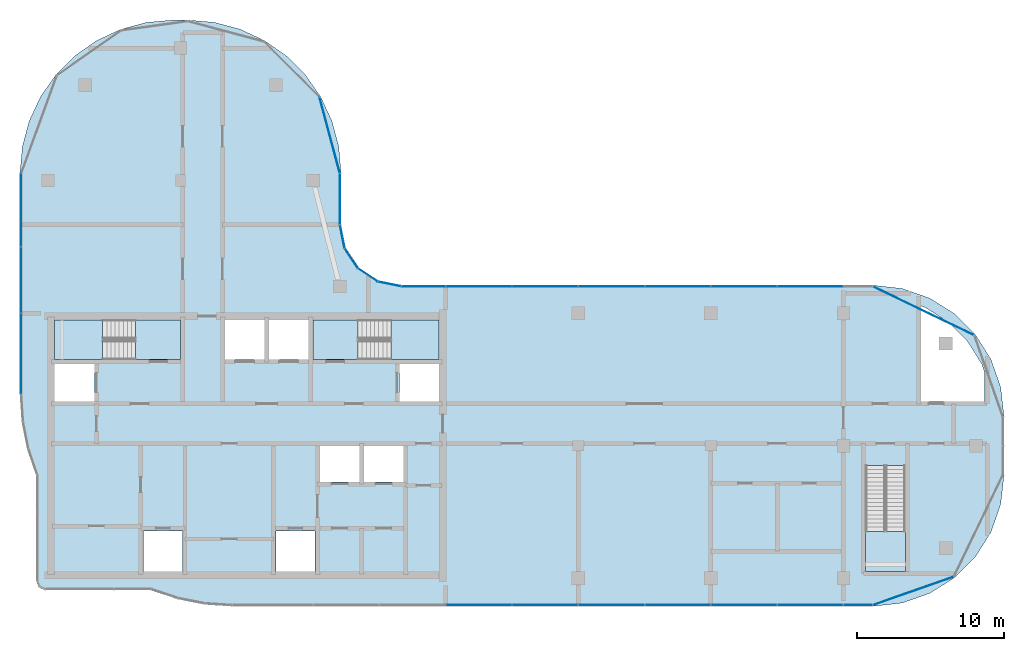
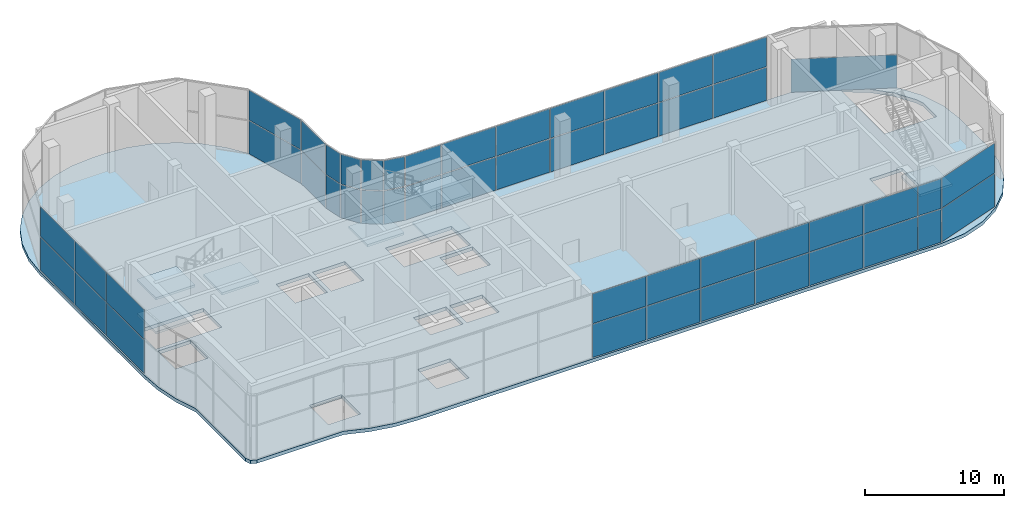
# One storey, part 13 of 19: 49 plates, 8 slabs, 11 elements without a shape of their own.
"""IFC4 building model written with IfcOpenShell, lengths in metres."""

from ifc_helpers import new_model, si_unit, direction, frame, origin, origin_2d, place, context, subcontext, project, spatial, polyline, rectangle, outline, extrude, material, layer, layer_set, type_object, element, aggregate, save


model = new_model("IFC4")

# Units and contexts
model_context = context("Model", 3, precision=1e-05, world=origin(), true_north=direction((0.0, 1.0)))
body_context = subcontext(model_context, "Body", "Model", "MODEL_VIEW")
ifc_project = project(units=[si_unit("LENGTHUNIT", "METRE"), si_unit("AREAUNIT", "SQUARE_METRE"), si_unit("VOLUMEUNIT", "CUBIC_METRE"), si_unit("PLANEANGLEUNIT", "RADIAN"), si_unit("MASSUNIT", "GRAM", prefix="KILO")], contexts=[model_context])

# Site, building, storey
site_placement = place(None, origin())
site = spatial("IfcSite", under=ifc_project, at=site_placement, CompositionType="ELEMENT")
building_placement = place(site_placement, origin())
building = spatial("IfcBuilding", under=site, at=building_placement, Name="Ogive Portal Towers", CompositionType="ELEMENT")
storey_placement = place(building_placement, frame((0.0, 0.0, 254.89990234375)))
storey = spatial("IfcBuildingStorey", under=building, at=storey_placement, Name="L63", CompositionType="ELEMENT", Elevation=254.89990234375)

# Curtain wall, plates
ifc_material_1 = material(Name="Glass, clear low-iron insulated glazing", Category="glass")
curtain_wall_type = type_object("IfcCurtainWallType", Name="CW OBSERVATION WALL", PredefinedType="NOTDEFINED", material=ifc_material_1)
curtain_wall_1_placement = place(storey_placement, origin())
curtain_wall_1 = element("IfcCurtainWall", 1, at=curtain_wall_1_placement, inside=storey, type_object=curtain_wall_type, Name="A:L63:f07:cw0", PredefinedType="NOTDEFINED")
ifc_layer_1 = layer(ifc_material_1, 0.028076171875)
ifc_layer_set_1 = layer_set([ifc_layer_1], Name="CW PANEL IGU 28")
plate_type = type_object("IfcPlateType", Name="CW PANEL IGU 28", PredefinedType="CURTAIN_PANEL", material=ifc_layer_set_1)
plate_1_placement = place(storey_placement, frame((60.75, 19.679931640625, 0.06005859375), z_axis=(0.0, 0.0, 1.0), x_axis=(1.0, 0.0, 0.0)))
plate_1 = element("IfcPlate", 2, at=plate_1_placement, type_object=plate_type, Name="panel", PredefinedType="CURTAIN_PANEL", context=body_context, shape_type="SweptSolid", body=[
    extrude(rectangle(XDim=4.43994140625, YDim=0.028076171875, at=origin_2d()), origin(), (0.0, 0.0, 1.0), 2.909912109375),
])
plate_2_placement = place(storey_placement, frame((60.75, 19.679931640625, 3.0302734375), z_axis=(0.0, 0.0, 1.0), x_axis=(1.0, 0.0, 0.0)))
plate_2 = element("IfcPlate", 3, at=plate_2_placement, type_object=plate_type, Name="panel", PredefinedType="CURTAIN_PANEL", context=body_context, shape_type="SweptSolid", body=[
    extrude(rectangle(XDim=4.43994140625, YDim=0.028076171875, at=origin_2d()), origin(), (0.0, 0.0, 1.0), 2.610107421875),
])
plate_3_placement = place(storey_placement, frame((65.25, 19.679931640625, 0.06005859375), z_axis=(0.0, 0.0, 1.0), x_axis=(1.0, 0.0, 0.0)))
plate_3 = element("IfcPlate", 4, at=plate_3_placement, type_object=plate_type, Name="panel", PredefinedType="CURTAIN_PANEL", context=body_context, shape_type="SweptSolid", body=[
    extrude(rectangle(XDim=4.43994140625, YDim=0.028076171875, at=origin_2d()), origin(), (0.0, 0.0, 1.0), 2.909912109375),
])
plate_4_placement = place(storey_placement, frame((65.25, 19.679931640625, 3.0302734375), z_axis=(0.0, 0.0, 1.0), x_axis=(1.0, 0.0, 0.0)))
plate_4 = element("IfcPlate", 5, at=plate_4_placement, type_object=plate_type, Name="panel", PredefinedType="CURTAIN_PANEL", context=body_context, shape_type="SweptSolid", body=[
    extrude(rectangle(XDim=4.43994140625, YDim=0.028076171875, at=origin_2d()), origin(), (0.0, 0.0, 1.0), 2.610107421875),
])
plate_5_placement = place(storey_placement, frame((69.75, 19.679931640625, 0.06005859375), z_axis=(0.0, 0.0, 1.0), x_axis=(1.0, 0.0, 0.0)))
plate_5 = element("IfcPlate", 6, at=plate_5_placement, type_object=plate_type, Name="panel", PredefinedType="CURTAIN_PANEL", context=body_context, shape_type="SweptSolid", body=[
    extrude(rectangle(XDim=4.43994140625, YDim=0.028076171875, at=origin_2d()), origin(), (0.0, 0.0, 1.0), 2.909912109375),
])
plate_6_placement = place(storey_placement, frame((69.75, 19.679931640625, 3.0302734375), z_axis=(0.0, 0.0, 1.0), x_axis=(1.0, 0.0, 0.0)))
plate_6 = element("IfcPlate", 7, at=plate_6_placement, type_object=plate_type, Name="panel", PredefinedType="CURTAIN_PANEL", context=body_context, shape_type="SweptSolid", body=[
    extrude(rectangle(XDim=4.43994140625, YDim=0.028076171875, at=origin_2d()), origin(), (0.0, 0.0, 1.0), 2.610107421875),
])
plate_7_placement = place(storey_placement, frame((74.25, 19.679931640625, 0.06005859375), z_axis=(0.0, 0.0, 1.0), x_axis=(1.0, 0.0, 0.0)))
plate_7 = element("IfcPlate", 8, at=plate_7_placement, type_object=plate_type, Name="panel", PredefinedType="CURTAIN_PANEL", context=body_context, shape_type="SweptSolid", body=[
    extrude(rectangle(XDim=4.43994140625, YDim=0.028076171875, at=origin_2d()), origin(), (0.0, 0.0, 1.0), 2.909912109375),
])
plate_8_placement = place(storey_placement, frame((74.25, 19.679931640625, 3.0302734375), z_axis=(0.0, 0.0, 1.0), x_axis=(1.0, 0.0, 0.0)))
plate_8 = element("IfcPlate", 9, at=plate_8_placement, type_object=plate_type, Name="panel", PredefinedType="CURTAIN_PANEL", context=body_context, shape_type="SweptSolid", body=[
    extrude(rectangle(XDim=4.43994140625, YDim=0.028076171875, at=origin_2d()), origin(), (0.0, 0.0, 1.0), 2.610107421875),
])
plate_9_placement = place(storey_placement, frame((78.75, 19.679931640625, 0.06005859375), z_axis=(0.0, 0.0, 1.0), x_axis=(1.0, 0.0, 0.0)))
plate_9 = element("IfcPlate", 10, at=plate_9_placement, type_object=plate_type, Name="panel", PredefinedType="CURTAIN_PANEL", context=body_context, shape_type="SweptSolid", body=[
    extrude(rectangle(XDim=4.43994140625, YDim=0.028076171875, at=origin_2d()), origin(), (0.0, 0.0, 1.0), 2.909912109375),
])
plate_10_placement = place(storey_placement, frame((78.75, 19.679931640625, 3.0302734375), z_axis=(0.0, 0.0, 1.0), x_axis=(1.0, 0.0, 0.0)))
plate_10 = element("IfcPlate", 11, at=plate_10_placement, type_object=plate_type, Name="panel", PredefinedType="CURTAIN_PANEL", context=body_context, shape_type="SweptSolid", body=[
    extrude(rectangle(XDim=4.43994140625, YDim=0.028076171875, at=origin_2d()), origin(), (0.0, 0.0, 1.0), 2.610107421875),
])
plate_11_placement = place(storey_placement, frame((83.25, 19.679931640625, 0.06005859375), z_axis=(0.0, 0.0, 1.0), x_axis=(1.0, 0.0, 0.0)))
plate_11 = element("IfcPlate", 12, at=plate_11_placement, type_object=plate_type, Name="panel", PredefinedType="CURTAIN_PANEL", context=body_context, shape_type="SweptSolid", body=[
    extrude(rectangle(XDim=4.43994140625, YDim=0.028076171875, at=origin_2d()), origin(), (0.0, 0.0, 1.0), 2.909912109375),
])
plate_12_placement = place(storey_placement, frame((83.25, 19.679931640625, 3.0302734375), z_axis=(0.0, 0.0, 1.0), x_axis=(1.0, 0.0, 0.0)))
plate_12 = element("IfcPlate", 13, at=plate_12_placement, type_object=plate_type, Name="panel", PredefinedType="CURTAIN_PANEL", context=body_context, shape_type="SweptSolid", body=[
    extrude(rectangle(XDim=4.43994140625, YDim=0.028076171875, at=origin_2d()), origin(), (0.0, 0.0, 1.0), 2.610107421875),
])
plate_13_placement = place(storey_placement, frame((86.4931640625, 19.679931640625, 0.06005859375), z_axis=(0.0, 0.0, 1.0), x_axis=(1.0, 0.0, 0.0)))
plate_13 = element("IfcPlate", 14, at=plate_13_placement, type_object=plate_type, Name="panel", PredefinedType="CURTAIN_PANEL", context=body_context, shape_type="SweptSolid", body=[
    extrude(rectangle(XDim=1.926513671875, YDim=0.028076171875, at=origin_2d()), origin(), (0.0, 0.0, 1.0), 2.909912109375),
])
plate_14_placement = place(storey_placement, frame((86.4931640625, 19.679931640625, 3.0302734375), z_axis=(0.0, 0.0, 1.0), x_axis=(1.0, 0.0, 0.0)))
plate_14 = element("IfcPlate", 15, at=plate_14_placement, type_object=plate_type, Name="panel", PredefinedType="CURTAIN_PANEL", context=body_context, shape_type="SweptSolid", body=[
    extrude(rectangle(XDim=1.926513671875, YDim=0.028076171875, at=origin_2d()), origin(), (0.0, 0.0, 1.0), 2.610107421875),
])
aggregate(curtain_wall_1, [plate_1, plate_2, plate_3, plate_4, plate_5, plate_6, plate_7, plate_8, plate_9, plate_10, plate_11, plate_12, plate_13, plate_14])

curtain_wall_2_placement = place(storey_placement, origin())
curtain_wall_2 = element("IfcCurtainWall", 16, at=curtain_wall_2_placement, inside=storey, type_object=curtain_wall_type, Name="A:L63:f13:cw0", PredefinedType="NOTDEFINED")
plate_15_placement = place(storey_placement, frame((83.25, 41.320068359375, 0.06005859375), z_axis=(0.0, 0.0, 1.0), x_axis=(-1.0, 0.0, 0.0)))
plate_15 = element("IfcPlate", 17, at=plate_15_placement, type_object=plate_type, Name="panel", PredefinedType="CURTAIN_PANEL", context=body_context, shape_type="SweptSolid", body=[
    extrude(rectangle(XDim=4.43994140625, YDim=0.028076171875, at=origin_2d()), origin(), (0.0, 0.0, 1.0), 2.909912109375),
])
plate_16_placement = place(storey_placement, frame((83.25, 41.320068359375, 3.0302734375), z_axis=(0.0, 0.0, 1.0), x_axis=(-1.0, 0.0, 0.0)))
plate_16 = element("IfcPlate", 18, at=plate_16_placement, type_object=plate_type, Name="panel", PredefinedType="CURTAIN_PANEL", context=body_context, shape_type="SweptSolid", body=[
    extrude(rectangle(XDim=4.43994140625, YDim=0.028076171875, at=origin_2d()), origin(), (0.0, 0.0, 1.0), 2.610107421875),
])
plate_17_placement = place(storey_placement, frame((78.75, 41.320068359375, 0.06005859375), z_axis=(0.0, 0.0, 1.0), x_axis=(-1.0, 0.0, 0.0)))
plate_17 = element("IfcPlate", 19, at=plate_17_placement, type_object=plate_type, Name="panel", PredefinedType="CURTAIN_PANEL", context=body_context, shape_type="SweptSolid", body=[
    extrude(rectangle(XDim=4.43994140625, YDim=0.028076171875, at=origin_2d()), origin(), (0.0, 0.0, 1.0), 2.909912109375),
])
plate_18_placement = place(storey_placement, frame((78.75, 41.320068359375, 3.0302734375), z_axis=(0.0, 0.0, 1.0), x_axis=(-1.0, 0.0, 0.0)))
plate_18 = element("IfcPlate", 20, at=plate_18_placement, type_object=plate_type, Name="panel", PredefinedType="CURTAIN_PANEL", context=body_context, shape_type="SweptSolid", body=[
    extrude(rectangle(XDim=4.43994140625, YDim=0.028076171875, at=origin_2d()), origin(), (0.0, 0.0, 1.0), 2.610107421875),
])
plate_19_placement = place(storey_placement, frame((74.25, 41.320068359375, 0.06005859375), z_axis=(0.0, 0.0, 1.0), x_axis=(-1.0, 0.0, 0.0)))
plate_19 = element("IfcPlate", 21, at=plate_19_placement, type_object=plate_type, Name="panel", PredefinedType="CURTAIN_PANEL", context=body_context, shape_type="SweptSolid", body=[
    extrude(rectangle(XDim=4.43994140625, YDim=0.028076171875, at=origin_2d()), origin(), (0.0, 0.0, 1.0), 2.909912109375),
])
plate_20_placement = place(storey_placement, frame((74.25, 41.320068359375, 3.0302734375), z_axis=(0.0, 0.0, 1.0), x_axis=(-1.0, 0.0, 0.0)))
plate_20 = element("IfcPlate", 22, at=plate_20_placement, type_object=plate_type, Name="panel", PredefinedType="CURTAIN_PANEL", context=body_context, shape_type="SweptSolid", body=[
    extrude(rectangle(XDim=4.43994140625, YDim=0.028076171875, at=origin_2d()), origin(), (0.0, 0.0, 1.0), 2.610107421875),
])
plate_21_placement = place(storey_placement, frame((69.75, 41.320068359375, 0.06005859375), z_axis=(0.0, 0.0, 1.0), x_axis=(-1.0, 0.0, 0.0)))
plate_21 = element("IfcPlate", 23, at=plate_21_placement, type_object=plate_type, Name="panel", PredefinedType="CURTAIN_PANEL", context=body_context, shape_type="SweptSolid", body=[
    extrude(rectangle(XDim=4.43994140625, YDim=0.028076171875, at=origin_2d()), origin(), (0.0, 0.0, 1.0), 2.909912109375),
])
plate_22_placement = place(storey_placement, frame((69.75, 41.320068359375, 3.0302734375), z_axis=(0.0, 0.0, 1.0), x_axis=(-1.0, 0.0, 0.0)))
plate_22 = element("IfcPlate", 24, at=plate_22_placement, type_object=plate_type, Name="panel", PredefinedType="CURTAIN_PANEL", context=body_context, shape_type="SweptSolid", body=[
    extrude(rectangle(XDim=4.43994140625, YDim=0.028076171875, at=origin_2d()), origin(), (0.0, 0.0, 1.0), 2.610107421875),
])
plate_23_placement = place(storey_placement, frame((65.25, 41.320068359375, 0.06005859375), z_axis=(0.0, 0.0, 1.0), x_axis=(-1.0, 0.0, 0.0)))
plate_23 = element("IfcPlate", 25, at=plate_23_placement, type_object=plate_type, Name="panel", PredefinedType="CURTAIN_PANEL", context=body_context, shape_type="SweptSolid", body=[
    extrude(rectangle(XDim=4.43994140625, YDim=0.028076171875, at=origin_2d()), origin(), (0.0, 0.0, 1.0), 2.909912109375),
])
plate_24_placement = place(storey_placement, frame((65.25, 41.320068359375, 3.0302734375), z_axis=(0.0, 0.0, 1.0), x_axis=(-1.0, 0.0, 0.0)))
plate_24 = element("IfcPlate", 26, at=plate_24_placement, type_object=plate_type, Name="panel", PredefinedType="CURTAIN_PANEL", context=body_context, shape_type="SweptSolid", body=[
    extrude(rectangle(XDim=4.43994140625, YDim=0.028076171875, at=origin_2d()), origin(), (0.0, 0.0, 1.0), 2.610107421875),
])
plate_25_placement = place(storey_placement, frame((60.75, 41.320068359375, 0.06005859375), z_axis=(0.0, 0.0, 1.0), x_axis=(-1.0, 0.0, 0.0)))
plate_25 = element("IfcPlate", 27, at=plate_25_placement, type_object=plate_type, Name="panel", PredefinedType="CURTAIN_PANEL", context=body_context, shape_type="SweptSolid", body=[
    extrude(rectangle(XDim=4.43994140625, YDim=0.028076171875, at=origin_2d()), origin(), (0.0, 0.0, 1.0), 2.909912109375),
])
plate_26_placement = place(storey_placement, frame((60.75, 41.320068359375, 3.0302734375), z_axis=(0.0, 0.0, 1.0), x_axis=(-1.0, 0.0, 0.0)))
plate_26 = element("IfcPlate", 28, at=plate_26_placement, type_object=plate_type, Name="panel", PredefinedType="CURTAIN_PANEL", context=body_context, shape_type="SweptSolid", body=[
    extrude(rectangle(XDim=4.43994140625, YDim=0.028076171875, at=origin_2d()), origin(), (0.0, 0.0, 1.0), 2.610107421875),
])
plate_27_placement = place(storey_placement, frame((56.99609375, 41.320068359375, 0.06005859375), z_axis=(0.0, 0.0, 1.0), x_axis=(-1.0, 0.0, 0.0)))
plate_27 = element("IfcPlate", 29, at=plate_27_placement, type_object=plate_type, Name="panel", PredefinedType="CURTAIN_PANEL", context=body_context, shape_type="SweptSolid", body=[
    extrude(rectangle(XDim=2.947998046875, YDim=0.028076171875, at=origin_2d()), origin(), (0.0, 0.0, 1.0), 2.909912109375),
])
plate_28_placement = place(storey_placement, frame((56.99609375, 41.320068359375, 3.0302734375), z_axis=(0.0, 0.0, 1.0), x_axis=(-1.0, 0.0, 0.0)))
plate_28 = element("IfcPlate", 30, at=plate_28_placement, type_object=plate_type, Name="panel", PredefinedType="CURTAIN_PANEL", context=body_context, shape_type="SweptSolid", body=[
    extrude(rectangle(XDim=2.947998046875, YDim=0.028076171875, at=origin_2d()), origin(), (0.0, 0.0, 1.0), 2.610107421875),
])
aggregate(curtain_wall_2, [plate_15, plate_16, plate_17, plate_18, plate_19, plate_20, plate_21, plate_22, plate_23, plate_24, plate_25, plate_26, plate_27, plate_28])

curtain_wall_3_placement = place(storey_placement, origin())
curtain_wall_3 = element("IfcCurtainWall", 31, at=curtain_wall_3_placement, inside=storey, type_object=curtain_wall_type, Name="A:L63:f18:cw0", PredefinedType="NOTDEFINED")
plate_29_placement = place(storey_placement, frame((51.320068359375, 47.24072265625, 0.06005859375), z_axis=(0.0, 0.0, 1.0), x_axis=(0.0, 1.0, 0.0)))
plate_29 = element("IfcPlate", 32, at=plate_29_placement, type_object=plate_type, Name="panel", PredefinedType="CURTAIN_PANEL", context=body_context, shape_type="SweptSolid", body=[
    extrude(rectangle(XDim=3.437255859375, YDim=0.028076171875, at=origin_2d()), origin(), (0.0, 0.0, 1.0), 2.909912109375),
])
plate_30_placement = place(storey_placement, frame((51.320068359375, 47.24072265625, 3.0302734375), z_axis=(0.0, 0.0, 1.0), x_axis=(0.0, 1.0, 0.0)))
plate_30 = element("IfcPlate", 33, at=plate_30_placement, type_object=plate_type, Name="panel", PredefinedType="CURTAIN_PANEL", context=body_context, shape_type="SweptSolid", body=[
    extrude(rectangle(XDim=3.437255859375, YDim=0.028076171875, at=origin_2d()), origin(), (0.0, 0.0, 1.0), 2.610107421875),
])
aggregate(curtain_wall_3, [plate_29, plate_30])

curtain_wall_4_placement = place(storey_placement, origin())
curtain_wall_4 = element("IfcCurtainWall", 34, at=curtain_wall_4_placement, inside=storey, type_object=curtain_wall_type, Name="A:L63:f25:cw0", PredefinedType="NOTDEFINED")
plate_31_placement = place(storey_placement, frame((29.679931640625, 46.492919921875, 0.06005859375), z_axis=(0.0, 0.0, 1.0), x_axis=(0.0, -1.0, 0.0)))
plate_31 = element("IfcPlate", 35, at=plate_31_placement, type_object=plate_type, Name="panel", PredefinedType="CURTAIN_PANEL", context=body_context, shape_type="SweptSolid", body=[
    extrude(rectangle(XDim=4.92578125, YDim=0.028076171875, at=origin_2d()), origin(), (0.0, 0.0, 1.0), 2.909912109375),
])
plate_32_placement = place(storey_placement, frame((29.679931640625, 46.492919921875, 3.0302734375), z_axis=(0.0, 0.0, 1.0), x_axis=(0.0, -1.0, 0.0)))
plate_32 = element("IfcPlate", 36, at=plate_32_placement, type_object=plate_type, Name="panel", PredefinedType="CURTAIN_PANEL", context=body_context, shape_type="SweptSolid", body=[
    extrude(rectangle(XDim=4.92578125, YDim=0.028076171875, at=origin_2d()), origin(), (0.0, 0.0, 1.0), 2.610107421875),
])
plate_33_placement = place(storey_placement, frame((29.679931640625, 41.75, 0.06005859375), z_axis=(0.0, 0.0, 1.0), x_axis=(0.0, -1.0, 0.0)))
plate_33 = element("IfcPlate", 37, at=plate_33_placement, type_object=plate_type, Name="panel", PredefinedType="CURTAIN_PANEL", context=body_context, shape_type="SweptSolid", body=[
    extrude(rectangle(XDim=4.43994140625, YDim=0.028076171875, at=origin_2d()), origin(), (0.0, 0.0, 1.0), 2.909912109375),
])
plate_34_placement = place(storey_placement, frame((29.679931640625, 41.75, 3.0302734375), z_axis=(0.0, 0.0, 1.0), x_axis=(0.0, -1.0, 0.0)))
plate_34 = element("IfcPlate", 38, at=plate_34_placement, type_object=plate_type, Name="panel", PredefinedType="CURTAIN_PANEL", context=body_context, shape_type="SweptSolid", body=[
    extrude(rectangle(XDim=4.43994140625, YDim=0.028076171875, at=origin_2d()), origin(), (0.0, 0.0, 1.0), 2.610107421875),
])
plate_35_placement = place(storey_placement, frame((29.679931640625, 36.751220703125, 0.06005859375), z_axis=(0.0, 0.0, 1.0), x_axis=(0.0, -1.0, 0.0)))
plate_35 = element("IfcPlate", 39, at=plate_35_placement, type_object=plate_type, Name="panel", PredefinedType="CURTAIN_PANEL", context=body_context, shape_type="SweptSolid", body=[
    extrude(rectangle(XDim=5.4375, YDim=0.028076171875, at=origin_2d()), origin(), (0.0, 0.0, 1.0), 2.909912109375),
])
plate_36_placement = place(storey_placement, frame((29.679931640625, 36.751220703125, 3.0302734375), z_axis=(0.0, 0.0, 1.0), x_axis=(0.0, -1.0, 0.0)))
plate_36 = element("IfcPlate", 40, at=plate_36_placement, type_object=plate_type, Name="panel", PredefinedType="CURTAIN_PANEL", context=body_context, shape_type="SweptSolid", body=[
    extrude(rectangle(XDim=5.4375, YDim=0.028076171875, at=origin_2d()), origin(), (0.0, 0.0, 1.0), 2.610107421875),
])
aggregate(curtain_wall_4, [plate_31, plate_32, plate_33, plate_34, plate_35, plate_36])

curtain_wall_5_placement = place(storey_placement, origin())
curtain_wall_5 = element("IfcCurtainWall", 41, at=curtain_wall_5_placement, inside=storey, type_object=curtain_wall_type, Name="A:L63:f08:cwa", PredefinedType="NOTDEFINED")
plate_37_placement = place(storey_placement, frame((90.23876953125, 20.64306640625, 0.06005859375), z_axis=(0.0, 0.0, 1.0), x_axis=(0.943883330307, 0.33027906196, 0.0)))
plate_37 = element("IfcPlate", 42, at=plate_37_placement, type_object=plate_type, Name="panel", PredefinedType="CURTAIN_PANEL", context=body_context, shape_type="SweptSolid", body=[
    extrude(rectangle(XDim=5.772216796875, YDim=0.028076171875, at=origin_2d()), origin(), (0.0, 0.0, 1.0), 2.909912109375),
])
plate_38_placement = place(storey_placement, frame((90.23876953125, 20.64306640625, 3.0302734375), z_axis=(0.0, 0.0, 1.0), x_axis=(0.943883330307, 0.33027906196, 0.0)))
plate_38 = element("IfcPlate", 43, at=plate_38_placement, type_object=plate_type, Name="panel", PredefinedType="CURTAIN_PANEL", context=body_context, shape_type="SweptSolid", body=[
    extrude(rectangle(XDim=5.772216796875, YDim=0.028076171875, at=origin_2d()), origin(), (0.0, 0.0, 1.0), 2.610107421875),
])
aggregate(curtain_wall_5, [plate_37, plate_38])

# Curtain wall, plate
curtain_wall_6_placement = place(storey_placement, origin())
curtain_wall_6 = element("IfcCurtainWall", 44, at=curtain_wall_6_placement, inside=storey, type_object=curtain_wall_type, Name="A:L63:f11:cwa", PredefinedType="NOTDEFINED")
plate_39_placement = place(storey_placement, frame((90.937744140625, 39.65576171875, 0.06005859375), z_axis=(0.0, 0.0, 1.0), x_axis=(-0.900968867905, 0.433883739113, 0.0)))
plate_39 = element("IfcPlate", 45, at=plate_39_placement, type_object=plate_type, Name="panel", PredefinedType="CURTAIN_PANEL", context=body_context, shape_type="SweptSolid", body=[
    extrude(rectangle(XDim=7.61181640625, YDim=0.028076171875, at=origin_2d()), origin(), (0.0, 0.0, 1.0), 2.909912109375),
])
aggregate(curtain_wall_6, [plate_39])

# Curtain wall, plates
curtain_wall_7_placement = place(storey_placement, origin())
curtain_wall_7 = element("IfcCurtainWall", 46, at=curtain_wall_7_placement, inside=storey, type_object=curtain_wall_type, Name="A:L63:f14:cwa", PredefinedType="NOTDEFINED")
plate_40_placement = place(storey_placement, frame((54.696044921875, 41.478271484375, 0.06005859375), z_axis=(0.0, 0.0, 1.0), x_axis=(-0.980785280403, 0.195090322016, 0.0)))
plate_40 = element("IfcPlate", 47, at=plate_40_placement, type_object=plate_type, Name="panel", PredefinedType="CURTAIN_PANEL", context=body_context, shape_type="SweptSolid", body=[
    extrude(rectangle(XDim=1.5634765625, YDim=0.028076171875, at=origin_2d()), origin(), (0.0, 0.0, 1.0), 2.909912109375),
])
plate_41_placement = place(storey_placement, frame((54.696044921875, 41.478271484375, 3.0302734375), z_axis=(0.0, 0.0, 1.0), x_axis=(-0.980785280403, 0.195090322016, 0.0)))
plate_41 = element("IfcPlate", 48, at=plate_41_placement, type_object=plate_type, Name="panel", PredefinedType="CURTAIN_PANEL", context=body_context, shape_type="SweptSolid", body=[
    extrude(rectangle(XDim=1.5634765625, YDim=0.028076171875, at=origin_2d()), origin(), (0.0, 0.0, 1.0), 2.610107421875),
])
plate_42_placement = place(storey_placement, frame((53.221435546875, 42.08984375, 0.06005859375), z_axis=(0.0, 0.0, 1.0), x_axis=(-0.831469612303, 0.55557023302, 0.0)))
plate_42 = element("IfcPlate", 49, at=plate_42_placement, type_object=plate_type, Name="panel", PredefinedType="CURTAIN_PANEL", context=body_context, shape_type="SweptSolid", body=[
    extrude(rectangle(XDim=1.571533203125, YDim=0.028076171875, at=origin_2d()), origin(), (0.0, 0.0, 1.0), 2.909912109375),
])
plate_43_placement = place(storey_placement, frame((53.221435546875, 42.08984375, 3.0302734375), z_axis=(0.0, 0.0, 1.0), x_axis=(-0.831469612303, 0.55557023302, 0.0)))
plate_43 = element("IfcPlate", 50, at=plate_43_placement, type_object=plate_type, Name="panel", PredefinedType="CURTAIN_PANEL", context=body_context, shape_type="SweptSolid", body=[
    extrude(rectangle(XDim=1.571533203125, YDim=0.028076171875, at=origin_2d()), origin(), (0.0, 0.0, 1.0), 2.610107421875),
])
plate_44_placement = place(storey_placement, frame((52.08984375, 43.221435546875, 0.06005859375), z_axis=(0.0, 0.0, 1.0), x_axis=(-0.55557023302, 0.831469612303, 0.0)))
plate_44 = element("IfcPlate", 51, at=plate_44_placement, type_object=plate_type, Name="panel", PredefinedType="CURTAIN_PANEL", context=body_context, shape_type="SweptSolid", body=[
    extrude(rectangle(XDim=1.571533203125, YDim=0.028076171875, at=origin_2d()), origin(), (0.0, 0.0, 1.0), 2.909912109375),
])
plate_45_placement = place(storey_placement, frame((52.08984375, 43.221435546875, 3.0302734375), z_axis=(0.0, 0.0, 1.0), x_axis=(-0.55557023302, 0.831469612303, 0.0)))
plate_45 = element("IfcPlate", 52, at=plate_45_placement, type_object=plate_type, Name="panel", PredefinedType="CURTAIN_PANEL", context=body_context, shape_type="SweptSolid", body=[
    extrude(rectangle(XDim=1.571533203125, YDim=0.028076171875, at=origin_2d()), origin(), (0.0, 0.0, 1.0), 2.610107421875),
])
plate_46_placement = place(storey_placement, frame((51.478271484375, 44.696044921875, 0.06005859375), z_axis=(0.0, 0.0, 1.0), x_axis=(-0.195090322016, 0.980785280403, 0.0)))
plate_46 = element("IfcPlate", 53, at=plate_46_placement, type_object=plate_type, Name="panel", PredefinedType="CURTAIN_PANEL", context=body_context, shape_type="SweptSolid", body=[
    extrude(rectangle(XDim=1.5634765625, YDim=0.028076171875, at=origin_2d()), origin(), (0.0, 0.0, 1.0), 2.909912109375),
])
plate_47_placement = place(storey_placement, frame((51.478271484375, 44.696044921875, 3.0302734375), z_axis=(0.0, 0.0, 1.0), x_axis=(-0.195090322016, 0.980785280403, 0.0)))
plate_47 = element("IfcPlate", 54, at=plate_47_placement, type_object=plate_type, Name="panel", PredefinedType="CURTAIN_PANEL", context=body_context, shape_type="SweptSolid", body=[
    extrude(rectangle(XDim=1.5634765625, YDim=0.028076171875, at=origin_2d()), origin(), (0.0, 0.0, 1.0), 2.610107421875),
])
aggregate(curtain_wall_7, [plate_40, plate_41, plate_42, plate_43, plate_44, plate_45, plate_46, plate_47])

curtain_wall_8_placement = place(storey_placement, origin())
curtain_wall_8 = element("IfcCurtainWall", 55, at=curtain_wall_8_placement, inside=storey, type_object=curtain_wall_type, Name="A:L63:f19:cwa", PredefinedType="NOTDEFINED")
plate_48_placement = place(storey_placement, frame((50.62744140625, 51.573974609375, 0.06005859375), z_axis=(0.0, 0.0, 1.0), x_axis=(-0.258819045103, 0.965925826289, 0.0)))
plate_48 = element("IfcPlate", 56, at=plate_48_placement, type_object=plate_type, Name="panel", PredefinedType="CURTAIN_PANEL", context=body_context, shape_type="SweptSolid", body=[
    extrude(rectangle(XDim=5.29150390625, YDim=0.028076171875, at=origin_2d()), origin(), (0.0, 0.0, 1.0), 2.909912109375),
])
plate_49_placement = place(storey_placement, frame((50.62744140625, 51.573974609375, 3.0302734375), z_axis=(0.0, 0.0, 1.0), x_axis=(-0.258819045103, 0.965925826289, 0.0)))
plate_49 = element("IfcPlate", 57, at=plate_49_placement, type_object=plate_type, Name="panel", PredefinedType="CURTAIN_PANEL", context=body_context, shape_type="SweptSolid", body=[
    extrude(rectangle(XDim=5.29150390625, YDim=0.028076171875, at=origin_2d()), origin(), (0.0, 0.0, 1.0), 2.610107421875),
])
aggregate(curtain_wall_8, [plate_48, plate_49])

# Stair, slabs
ifc_material_2 = material(Name="Concrete C40/50", Category="concrete")
stair_type = type_object("IfcStairType", Name="INT-STAIR", PredefinedType="HALF_TURN_STAIR", material=ifc_material_2)
stair_1_placement = place(storey_placement, origin())
stair_1 = element("IfcStair", 58, at=stair_1_placement, inside=storey, type_object=stair_type, Name="L63 Exit Stair ST-A1", PredefinedType="HALF_TURN_STAIR")
ifc_layer_2 = layer(ifc_material_2, 0.199951171875)
ifc_layer_set_2 = layer_set([ifc_layer_2], Name="INT-LANDING")
slab_type_1 = type_object("IfcSlabType", Name="INT-LANDING", PredefinedType="LANDING", material=ifc_layer_set_2)
slab_1_placement = place(storey_placement, frame((0.0, 0.0, 1.300048828125)))
slab_1 = element("IfcSlab", 59, at=slab_1_placement, type_object=slab_type_1, Name="ST-A1 landing 1", PredefinedType="LANDING", context=body_context, shape_type="SweptSolid", body=[
    extrude(outline(polyline([(35.2099609375, 39.050048828125), (31.949951171875, 39.050048828125), (31.949951171875, 36.35009765625), (35.2099609375, 36.35009765625), (35.2099609375, 39.050048828125)])), origin(), (0.0, 0.0, 1.0), 0.199951171875),
])
slab_2_placement = place(storey_placement, frame((0.0, 0.0, 2.800048828125)))
slab_2 = element("IfcSlab", 60, at=slab_2_placement, type_object=slab_type_1, Name="ST-A1 landing 2", PredefinedType="LANDING", context=body_context, shape_type="SweptSolid", body=[
    extrude(outline(polyline([(40.5, 39.050048828125), (37.449951171875, 39.050048828125), (37.449951171875, 36.35009765625), (40.5, 36.35009765625), (40.5, 39.050048828125)])), origin(), (0.0, 0.0, 1.0), 0.199951171875),
])
slab_3_placement = place(storey_placement, frame((0.0, 0.0, 4.300048828125)))
slab_3 = element("IfcSlab", 61, at=slab_3_placement, type_object=slab_type_1, Name="ST-A1 landing 3", PredefinedType="LANDING", context=body_context, shape_type="SweptSolid", body=[
    extrude(outline(polyline([(35.2099609375, 39.050048828125), (31.949951171875, 39.050048828125), (31.949951171875, 36.35009765625), (35.2099609375, 36.35009765625), (35.2099609375, 39.050048828125)])), origin(), (0.0, 0.0, 1.0), 0.199951171875),
])
aggregate(stair_1, [slab_1, slab_2, slab_3])

stair_2_placement = place(storey_placement, origin())
stair_2 = element("IfcStair", 62, at=stair_2_placement, inside=storey, type_object=stair_type, Name="L63 Exit Stair ST-A2", PredefinedType="HALF_TURN_STAIR")
slab_4_placement = place(storey_placement, frame((0.0, 0.0, 1.300048828125)))
slab_4 = element("IfcSlab", 63, at=slab_4_placement, type_object=slab_type_1, Name="ST-A2 landing 1", PredefinedType="LANDING", context=body_context, shape_type="SweptSolid", body=[
    extrude(outline(polyline([(54.7900390625, 36.35009765625), (58.050048828125, 36.35009765625), (58.050048828125, 39.050048828125), (54.7900390625, 39.050048828125), (54.7900390625, 36.35009765625)])), origin(), (0.0, 0.0, 1.0), 0.199951171875),
])
slab_5_placement = place(storey_placement, frame((0.0, 0.0, 2.800048828125)))
slab_5 = element("IfcSlab", 64, at=slab_5_placement, type_object=slab_type_1, Name="ST-A2 landing 2", PredefinedType="LANDING", context=body_context, shape_type="SweptSolid", body=[
    extrude(outline(polyline([(49.5, 36.35009765625), (52.550048828125, 36.35009765625), (52.550048828125, 39.050048828125), (49.5, 39.050048828125), (49.5, 36.35009765625)])), origin(), (0.0, 0.0, 1.0), 0.199951171875),
])
slab_6_placement = place(storey_placement, frame((0.0, 0.0, 4.300048828125)))
slab_6 = element("IfcSlab", 65, at=slab_6_placement, type_object=slab_type_1, Name="ST-A2 landing 3", PredefinedType="LANDING", context=body_context, shape_type="SweptSolid", body=[
    extrude(outline(polyline([(54.7900390625, 36.35009765625), (58.050048828125, 36.35009765625), (58.050048828125, 39.050048828125), (54.7900390625, 39.050048828125), (54.7900390625, 36.35009765625)])), origin(), (0.0, 0.0, 1.0), 0.199951171875),
])
aggregate(stair_2, [slab_4, slab_5, slab_6])

# Stair, slab
stair_3_placement = place(storey_placement, origin())
stair_3 = element("IfcStair", 66, at=stair_3_placement, inside=storey, type_object=stair_type, Name="L63 Exit Stair ST-A4", PredefinedType="HALF_TURN_STAIR")
slab_7_placement = place(storey_placement, frame((0.0, 0.0, 2.800048828125)))
slab_7 = element("IfcSlab", 67, at=slab_7_placement, type_object=slab_type_1, Name="ST-A4 landing 1", PredefinedType="LANDING", context=body_context, shape_type="SweptSolid", body=[
    extrude(outline(polyline([(87.0, 24.68994140625), (87.0, 21.949951171875), (89.699951171875, 21.949951171875), (89.699951171875, 24.68994140625), (87.0, 24.68994140625)])), origin(), (0.0, 0.0, 1.0), 0.199951171875),
])
aggregate(stair_3, [slab_7])

# Slab
ifc_material_3 = material(Name="Concrete C45/55", Category="concrete")
ifc_layer_3 = layer(ifc_material_3, 0.300048828125)
ifc_layer_set_3 = layer_set([ifc_layer_3], Name="PT FLAT PLATE 300")
slab_type_2 = type_object("IfcSlabType", Name="PT FLAT PLATE 300", PredefinedType="FLOOR", material=ifc_layer_set_3)
slab_8_placement = place(storey_placement, frame((0.0, 0.0, -0.2998046875)))
element("IfcSlab", 68, at=slab_8_placement, inside=storey, type_object=slab_type_2, Name="Floor slab L63", PredefinedType="FLOOR", context=body_context, shape_type="SweptSolid", body=[
    extrude(outline(polyline([(29.72314453125, 32.120361328125), (30.0908203125, 30.27294921875), (30.699951171875, 28.4814453125), (30.699951171875, 21.300048828125), (30.875732421875, 20.875732421875), (31.300048828125, 20.699951171875), (38.4814453125, 20.699951171875), (40.27294921875, 20.0908203125), (42.120361328125, 19.72314453125), (44.0, 19.60009765625), (87.5, 19.60009765625), (89.48046875, 19.822998046875), (91.361572265625, 20.4814453125), (93.049072265625, 21.541748046875), (94.458251953125, 22.950927734375), (95.5185546875, 24.638427734375), (96.177001953125, 26.51953125), (96.39990234375, 28.5), (96.39990234375, 32.5), (96.177001953125, 34.48046875), (95.5185546875, 36.361572265625), (94.458251953125, 38.049072265625), (93.049072265625, 39.458251953125), (91.361572265625, 40.5185546875), (89.48046875, 41.177001953125), (87.5, 41.39990234375), (55.5, 41.39990234375), (53.930908203125, 41.712158203125), (52.600830078125, 42.600830078125), (51.712158203125, 43.930908203125), (51.39990234375, 45.5), (51.39990234375, 49.0), (51.241943359375, 50.805908203125), (50.772705078125, 52.556884765625), (50.006591796875, 54.199951171875), (48.966796875, 55.68505859375), (47.68505859375, 56.966796875), (46.199951171875, 58.006591796875), (44.556884765625, 58.772705078125), (42.805908203125, 59.241943359375), (41.0, 59.39990234375), (40.0, 59.39990234375), (38.194091796875, 59.241943359375), (36.443115234375, 58.772705078125), (34.800048828125, 58.006591796875), (33.31494140625, 56.966796875), (32.033203125, 55.68505859375), (30.993408203125, 54.199951171875), (30.227294921875, 52.556884765625), (29.758056640625, 50.805908203125), (29.60009765625, 49.0), (29.60009765625, 34.0), (29.72314453125, 32.120361328125)]), holes=[polyline([(40.6298828125, 24.72998046875), (40.6298828125, 21.969970703125), (37.969970703125, 21.969970703125), (37.969970703125, 24.72998046875), (40.6298828125, 24.72998046875)]), polyline([(49.6298828125, 21.969970703125), (46.969970703125, 21.969970703125), (46.969970703125, 24.72998046875), (49.6298828125, 24.72998046875), (49.6298828125, 21.969970703125)]), polyline([(34.64990234375, 36.050048828125), (34.64990234375, 33.5), (31.949951171875, 33.5), (31.949951171875, 36.050048828125), (34.64990234375, 36.050048828125)]), polyline([(31.951904296875, 36.35205078125), (31.951904296875, 39.048095703125), (37.447998046875, 39.048095703125), (37.447998046875, 36.35205078125), (31.951904296875, 36.35205078125)]), polyline([(46.199951171875, 39.050048828125), (46.199951171875, 36.35009765625), (43.5, 36.35009765625), (43.5, 39.050048828125), (46.199951171875, 39.050048828125)]), polyline([(49.199951171875, 39.050048828125), (49.199951171875, 36.35009765625), (46.5, 36.35009765625), (46.5, 39.050048828125), (49.199951171875, 39.050048828125)]), polyline([(89.697998046875, 21.951904296875), (87.001953125, 21.951904296875), (87.001953125, 29.16796875), (89.697998046875, 29.16796875), (89.697998046875, 21.951904296875)]), polyline([(52.64990234375, 30.5), (52.64990234375, 28.050048828125), (49.949951171875, 28.050048828125), (49.949951171875, 30.5), (52.64990234375, 30.5)]), polyline([(55.64990234375, 30.5), (55.64990234375, 28.050048828125), (52.949951171875, 28.050048828125), (52.949951171875, 30.5), (55.64990234375, 30.5)]), polyline([(55.35009765625, 36.050048828125), (58.050048828125, 36.050048828125), (58.050048828125, 33.5), (55.35009765625, 33.5), (55.35009765625, 36.050048828125)]), polyline([(93.90771484375, 37.60986328125), (94.884033203125, 36.055908203125), (95.080078125, 35.49560546875), (95.080078125, 33.52001953125), (90.77001953125, 33.52001953125), (90.77001953125, 39.98388671875), (91.055908203125, 39.884033203125), (92.60986328125, 38.90771484375), (93.90771484375, 37.60986328125)]), polyline([(58.048095703125, 36.35205078125), (52.552001953125, 36.35205078125), (52.552001953125, 39.048095703125), (58.048095703125, 39.048095703125), (58.048095703125, 36.35205078125)])]), origin(), (0.0, 0.0, 1.0), 0.2998046875),
])

save(model, "model.ifc")
